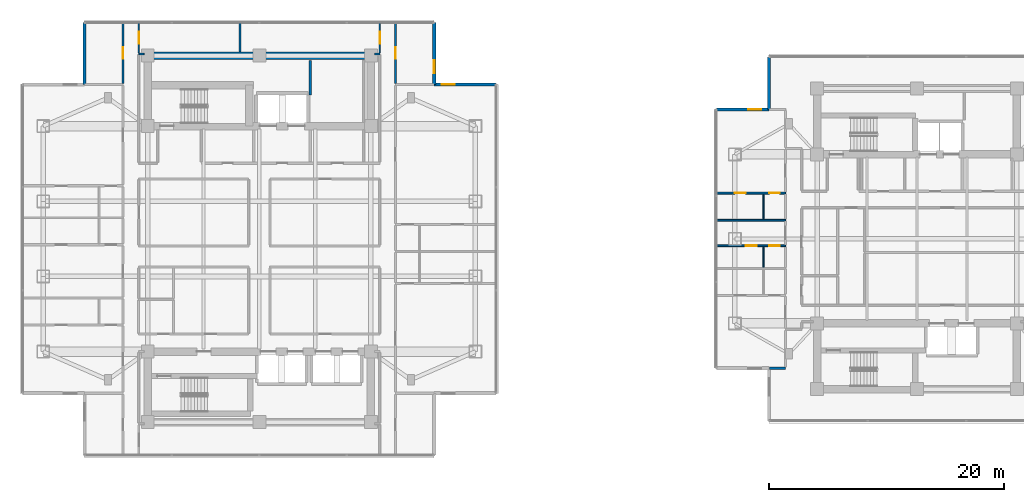
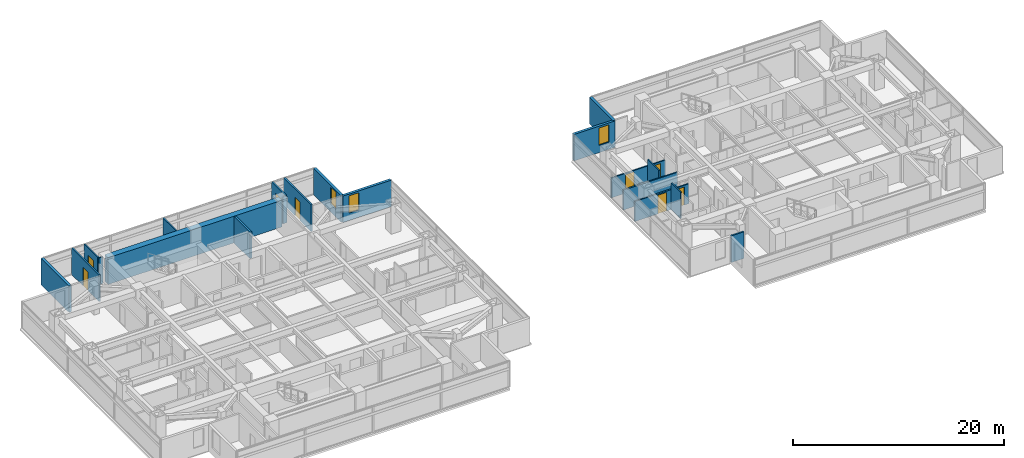
# One storey, part 17 of 26: 20 walls, 8 doors, 3 windows, 11 openings.
"""IFC4 building model written with IfcOpenShell, lengths in metres."""

from ifc_helpers import new_model, si_unit, direction, frame, frame_2d, origin, place, context, subcontext, project, spatial, rectangle, extrude, material, layer, layer_set, type_object, element, fill, save


model = new_model("IFC4")

# Units and contexts
model_context = context("Model", 3, precision=1e-05, world=origin(), true_north=direction((0.0, 1.0)))
body_context = subcontext(model_context, "Body", "Model", "MODEL_VIEW")
ifc_project = project(units=[si_unit("LENGTHUNIT", "METRE"), si_unit("AREAUNIT", "SQUARE_METRE"), si_unit("VOLUMEUNIT", "CUBIC_METRE"), si_unit("PLANEANGLEUNIT", "RADIAN"), si_unit("MASSUNIT", "GRAM", prefix="KILO")], contexts=[model_context])

# Site, building, storey
site_placement = place(None, origin())
site = spatial("IfcSite", under=ifc_project, at=site_placement, CompositionType="ELEMENT")
building_placement = place(site_placement, origin())
building = spatial("IfcBuilding", under=site, at=building_placement, Name="Mirazonda Arch Towers", CompositionType="ELEMENT")
storey_placement = place(building_placement, frame((0.0, 0.0, 121.39990234375)))
storey = spatial("IfcBuildingStorey", under=building, at=storey_placement, Name="L34", CompositionType="ELEMENT", Elevation=121.39990234375)

# Wall
ifc_material_1 = material(Name="Concrete C60/75", Category="concrete")
ifc_layer_1 = layer(ifc_material_1, 0.64990234375, Name="WALL-CORE-650")
ifc_layer_set_1 = layer_set([ifc_layer_1], Name="Concrete C60/75")
wall_type_1 = type_object("IfcWallType", Name="WALL-CORE-650", PredefinedType="SHEAR", material=ifc_layer_set_1)
wall_1_placement = place(storey_placement, frame((11.0, 43.60009765625, 0.0), z_axis=(0.0, 0.0, 1.0), x_axis=(1.0, 0.0, 0.0)))
element("IfcWall", 1, at=wall_1_placement, inside=storey, type_object=wall_type_1, Name="L34 T1N-N Core Shear Wall", PredefinedType="SHEAR", context=body_context, shape_type="SweptSolid", body=[
    extrude(rectangle(XDim=19.0, YDim=0.64990234375, at=frame_2d((9.5, 0.0))), origin(), (0.0, 0.0, 1.0), 3.080078125),
])

# Wall, opening, window
ifc_material_2 = material(Name="Precast Concrete C40/50", Category="concrete")
ifc_layer_2 = layer(ifc_material_2, 0.280029296875, Name="WALL-EXT-WALL-280")
ifc_layer_set_2 = layer_set([ifc_layer_2], Name="Precast Concrete C40/50")
wall_type_2 = type_object("IfcWallType", Name="WALL-EXT-WALL-280", PredefinedType="SOLIDWALL", material=ifc_layer_set_2)
wall_2_placement = place(storey_placement, frame((35.389892578125, 41.14794921875, 0.0), z_axis=(0.0, 0.0, 1.0), x_axis=(0.0, 1.0, 0.0)))
wall_2 = element("IfcWall", 2, at=wall_2_placement, inside=storey, type_object=wall_type_2, Name="L34 T1 Notched NE Corner Wall WL-L34-T1-CNE", PredefinedType="SOLIDWALL", context=body_context, shape_type="SweptSolid", body=[
    extrude(rectangle(XDim=5.27001953125, YDim=0.280029296875, at=frame_2d((2.635009765625, 0.0))), origin(), (0.0, 0.0, 1.0), 3.06005859375),
])
opening_1_placement = place(wall_2_placement, frame((0.949951171875, 0.0, 0.85009765625)))
opening_1 = element("IfcOpeningElement", 3, at=opening_1_placement, cuts=wall_2, Name="Opening WN-108", PredefinedType="OPENING", context=body_context, shape_type="SweptSolid", body=[
    extrude(rectangle(XDim=1.10009765625, YDim=2.0, at=frame_2d((0.550048828125, 1.0))), frame((0.0, 0.14990234375, 0.0), z_axis=(0.0, -1.0, 0.0), x_axis=(1.0, 0.0, 0.0)), (0.0, 0.0, 1.0), 0.300048828125),
])
ifc_material_3 = material(Name="Insulated Low-E Solar Glass", Category="glass")
window_type = type_object("IfcWindowType", Name="WIN-NOTCH-1100x2000", PartitioningType="SINGLE_PANEL", PredefinedType="WINDOW", material=ifc_material_3)
window_1_placement = place(opening_1_placement, origin())
window_1 = element("IfcWindow", 4, at=window_1_placement, inside=storey, type_object=window_type, Name="L34 Punched Facade Window WN-L34-T1-CNE", OverallHeight=2.0, OverallWidth=1.10009765625, PartitioningType="SINGLE_PANEL", PredefinedType="WINDOW", context=body_context, shape_type="SweptSolid", body=[
    extrude(rectangle(XDim=1.10009765625, YDim=2.0, at=frame_2d((0.550048828125, 1.0))), frame((0.0, 0.030029296875, 0.0), z_axis=(0.0, -1.0, 0.0), x_axis=(1.0, 0.0, 0.0)), (0.0, 0.0, 1.0), 0.06005859375),
])
fill(opening_1, window_1)

# Wall
wall_3_placement = place(storey_placement, frame((5.610107421875, 46.41796875, 0.0), z_axis=(0.0, 0.0, 1.0), x_axis=(0.0, -1.0, 0.0)))
element("IfcWall", 5, at=wall_3_placement, inside=storey, type_object=wall_type_2, Name="L34 T1 Corner Notch Return Wall WL-L34-T1-CNW2", PredefinedType="SOLIDWALL", context=body_context, shape_type="SweptSolid", body=[
    extrude(rectangle(XDim=5.27001953125, YDim=0.280029296875, at=frame_2d((2.635009765625, 0.0))), origin(), (0.0, 0.0, 1.0), 3.06005859375),
])

# Wall, opening, window
wall_4_placement = place(storey_placement, frame((40.659912109375, 41.14794921875, 0.0), z_axis=(0.0, 0.0, 1.0), x_axis=(-1.0, 0.0, 0.0)))
wall_4 = element("IfcWall", 6, at=wall_4_placement, inside=storey, type_object=wall_type_2, Name="L34 T1 Corner Notch Return Wall WL-L34-T1-CNE2", PredefinedType="SOLIDWALL", context=body_context, shape_type="SweptSolid", body=[
    extrude(rectangle(XDim=5.27001953125, YDim=0.280029296875, at=frame_2d((2.635009765625, 0.0))), origin(), (0.0, 0.0, 1.0), 3.06005859375),
])
opening_2_placement = place(wall_4_placement, frame((3.52001953125, 0.0, 0.85009765625)))
opening_2 = element("IfcOpeningElement", 7, at=opening_2_placement, cuts=wall_4, Name="Opening WN-108", PredefinedType="OPENING", context=body_context, shape_type="SweptSolid", body=[
    extrude(rectangle(XDim=1.10009765625, YDim=2.0, at=frame_2d((0.550048828125, 1.0))), frame((0.0, 0.14990234375, 0.0), z_axis=(0.0, -1.0, 0.0), x_axis=(1.0, 0.0, 0.0)), (0.0, 0.0, 1.0), 0.300048828125),
])
window_2_placement = place(opening_2_placement, origin())
window_2 = element("IfcWindow", 8, at=window_2_placement, inside=storey, type_object=window_type, Name="L34 Punched Facade Window WN-L34-T1-CNE2", OverallHeight=2.0, OverallWidth=1.10009765625, PartitioningType="SINGLE_PANEL", PredefinedType="WINDOW", context=body_context, shape_type="SweptSolid", body=[
    extrude(rectangle(XDim=1.10009765625, YDim=2.0, at=frame_2d((0.550048828125, 1.0))), frame((0.0, 0.030029296875, 0.0), z_axis=(0.0, -1.0, 0.0), x_axis=(1.0, 0.0, 0.0)), (0.0, 0.0, 1.0), 0.06005859375),
])
fill(opening_2, window_2)

wall_5_placement = place(storey_placement, frame((63.903564453125, 39.015869140625, 0.0), z_axis=(0.0, 0.0, 1.0), x_axis=(-1.0, 0.0, 0.0)))
wall_5 = element("IfcWall", 9, at=wall_5_placement, inside=storey, type_object=wall_type_2, Name="L34 T2 Corner Notch Return Wall WL-L34-T2-CNW1", PredefinedType="SOLIDWALL", context=body_context, shape_type="SweptSolid", body=[
    extrude(rectangle(XDim=4.486572265625, YDim=0.280029296875, at=frame_2d((2.2431640625, 0.0))), origin(), (0.0, 0.0, 1.0), 3.06005859375),
])
opening_3_placement = place(wall_5_placement, frame((0.64990234375, 0.0, 0.85009765625)))
opening_3 = element("IfcOpeningElement", 10, at=opening_3_placement, cuts=wall_5, Name="Opening WN-108", PredefinedType="OPENING", context=body_context, shape_type="SweptSolid", body=[
    extrude(rectangle(XDim=1.10009765625, YDim=2.0, at=frame_2d((0.550048828125, 1.0))), frame((0.0, 0.14990234375, 0.0), z_axis=(0.0, -1.0, 0.0), x_axis=(1.0, 0.0, 0.0)), (0.0, 0.0, 1.0), 0.300048828125),
])
window_3_placement = place(opening_3_placement, origin())
window_3 = element("IfcWindow", 11, at=window_3_placement, inside=storey, type_object=window_type, Name="L34 Punched Facade Window WN-L34-T2-CNW1", OverallHeight=2.0, OverallWidth=1.10009765625, PartitioningType="SINGLE_PANEL", PredefinedType="WINDOW", context=body_context, shape_type="SweptSolid", body=[
    extrude(rectangle(XDim=1.10009765625, YDim=2.0, at=frame_2d((0.550048828125, 1.0))), frame((0.0, 0.030029296875, 0.0), z_axis=(0.0, -1.0, 0.0), x_axis=(1.0, 0.0, 0.0)), (0.0, 0.0, 1.0), 0.06005859375),
])
fill(opening_3, window_3)

# Walls
wall_6_placement = place(storey_placement, frame((63.903564453125, 43.502197265625, 0.0), z_axis=(0.0, 0.0, 1.0), x_axis=(0.0, -1.0, 0.0)))
element("IfcWall", 12, at=wall_6_placement, inside=storey, type_object=wall_type_2, Name="L34 T2 Corner Notch Return Wall WL-L34-T2-CNW2", PredefinedType="SOLIDWALL", context=body_context, shape_type="SweptSolid", body=[
    extrude(rectangle(XDim=4.486328125, YDim=0.280029296875, at=frame_2d((2.2431640625, 0.0))), origin(), (0.0, 0.0, 1.0), 3.06005859375),
])
ifc_material_4 = material(Name="Concrete C40/50", Category="concrete")
ifc_layer_3 = layer(ifc_material_4, 0.219970703125, Name="WALL-FFL-220")
ifc_layer_set_3 = layer_set([ifc_layer_3], Name="Concrete C40/50")
wall_type_3 = type_object("IfcWallType", Name="WALL-FFL-220", PredefinedType="SOLIDWALL", material=ifc_layer_set_3)
wall_7_placement = place(storey_placement, frame((24.85009765625, 40.260009765625, 0.0), z_axis=(0.0, 0.0, 1.0), x_axis=(0.0, 1.0, 0.0)))
element("IfcWall", 13, at=wall_7_placement, inside=storey, type_object=wall_type_3, Name="L34 Interior Partition 099", PredefinedType="SOLIDWALL", context=body_context, shape_type="SweptSolid", body=[
    extrude(rectangle(XDim=2.93994140625, YDim=0.219970703125, at=frame_2d((1.469970703125, 0.0))), origin(), (0.0, 0.0, 1.0), 3.080078125),
])

# Wall, openings, doors
ifc_material_5 = material(Name="Fire-Rated Gypsum Stud Partition")
ifc_layer_4 = layer(ifc_material_5, 0.14990234375, Name="WALL-PART-CORR-150")
ifc_layer_set_4 = layer_set([ifc_layer_4], Name="Fire-Rated Gypsum Stud Partition")
wall_type_4 = type_object("IfcWallType", Name="WALL-PART-CORR-150", PredefinedType="PARTITIONING", material=ifc_layer_set_4)
wall_8_placement = place(storey_placement, frame((59.4169921875, 27.412109375, 0.0), z_axis=(0.0, 0.0, 1.0), x_axis=(1.0, 0.0, 0.0)))
wall_8 = element("IfcWall", 14, at=wall_8_placement, inside=storey, type_object=wall_type_4, Name="L34 Interior Partition 038", PredefinedType="PARTITIONING", context=body_context, shape_type="SweptSolid", body=[
    extrude(rectangle(XDim=5.903076171875, YDim=0.14990234375, at=frame_2d((2.95166015625, 0.0))), origin(), (0.0, 0.0, 1.0), 2.299072265625),
])
opening_4_placement = place(wall_8_placement, frame((2.501953125, 0.0, 0.0)))
opening_4 = element("IfcOpeningElement", 15, at=opening_4_placement, cuts=wall_8, Name="Opening DR-104", PredefinedType="OPENING", context=body_context, shape_type="SweptSolid", body=[
    extrude(rectangle(XDim=0.949951171875, YDim=2.14990234375, at=frame_2d((0.47509765625, 1.074951171875))), frame((0.0, 0.0849609375, 0.0), z_axis=(0.0, -1.0, 0.0), x_axis=(1.0, 0.0, 0.0)), (0.0, 0.0, 1.0), 0.169921875),
])
opening_5_placement = place(wall_8_placement, frame((4.488525390625, 0.0, 0.0)))
opening_5 = element("IfcOpeningElement", 16, at=opening_5_placement, cuts=wall_8, Name="Opening DR-120", PredefinedType="OPENING", context=body_context, shape_type="SweptSolid", body=[
    extrude(rectangle(XDim=0.89990234375, YDim=2.10009765625, at=frame_2d((0.449951171875, 1.050048828125))), frame((0.0, 0.0849609375, 0.0), z_axis=(0.0, -1.0, 0.0), x_axis=(1.0, 0.0, 0.0)), (0.0, 0.0, 1.0), 0.169921875),
])
ifc_material_6 = material(Name="Architectural Brushed Steel S355", Category="steel")
door_type_1 = type_object("IfcDoorType", Name="DOOR-ROOM-950", OperationType="NOTDEFINED", PredefinedType="DOOR", material=ifc_material_6)
door_1_placement = place(opening_4_placement, origin())
door_1 = element("IfcDoor", 17, at=door_1_placement, inside=storey, type_object=door_type_1, Name="L34 Studio 2 Galley Kitchen Door", OperationType="SINGLE_SWING_LEFT", OverallHeight=2.14990234375, OverallWidth=0.949951171875, PredefinedType="DOOR", context=body_context, shape_type="SweptSolid", body=[
    extrude(rectangle(XDim=0.949951171875, YDim=2.14990234375, at=frame_2d((0.47509765625, 1.074951171875))), frame((0.0, 0.02490234375, 0.0), z_axis=(0.0, -1.0, 0.0), x_axis=(1.0, 0.0, 0.0)), (0.0, 0.0, 1.0), 0.050048828125),
])
fill(opening_4, door_1)
door_type_2 = type_object("IfcDoorType", Name="DOOR-WC-900", OperationType="NOTDEFINED", PredefinedType="DOOR", material=ifc_material_6)
door_2_placement = place(opening_5_placement, origin())
door_2 = element("IfcDoor", 18, at=door_2_placement, inside=storey, type_object=door_type_2, Name="L34 Studio 2 Bathroom Door", OperationType="SINGLE_SWING_RIGHT", OverallHeight=2.10009765625, OverallWidth=0.89990234375, PredefinedType="DOOR", context=body_context, shape_type="SweptSolid", body=[
    extrude(rectangle(XDim=0.89990234375, YDim=2.10009765625, at=frame_2d((0.449951171875, 1.050048828125))), frame((0.0, 0.02490234375, 0.0), z_axis=(0.0, -1.0, 0.0), x_axis=(1.0, 0.0, 0.0)), (0.0, 0.0, 1.0), 0.050048828125),
])
fill(opening_5, door_2)

# Wall
wall_9_placement = place(storey_placement, frame((59.4169921875, 29.595947265625, 0.0), z_axis=(0.0, 0.0, 1.0), x_axis=(1.0, 0.0, 0.0)))
element("IfcWall", 19, at=wall_9_placement, inside=storey, type_object=wall_type_4, Name="L34 Interior Partition 042", PredefinedType="PARTITIONING", context=body_context, shape_type="SweptSolid", body=[
    extrude(rectangle(XDim=5.903076171875, YDim=0.14990234375, at=frame_2d((2.95166015625, 0.0))), origin(), (0.0, 0.0, 1.0), 2.299072265625),
])

# Wall, openings, doors
wall_10_placement = place(storey_placement, frame((59.4169921875, 31.89599609375, 0.0), z_axis=(0.0, 0.0, 1.0), x_axis=(1.0, 0.0, 0.0)))
wall_10 = element("IfcWall", 20, at=wall_10_placement, inside=storey, type_object=wall_type_4, Name="L34 Interior Partition 044", PredefinedType="PARTITIONING", context=body_context, shape_type="SweptSolid", body=[
    extrude(rectangle(XDim=5.903076171875, YDim=0.14990234375, at=frame_2d((2.95166015625, 0.0))), origin(), (0.0, 0.0, 1.0), 2.299072265625),
])
opening_6_placement = place(wall_10_placement, frame((1.552001953125, 0.0, 0.0)))
opening_6 = element("IfcOpeningElement", 21, at=opening_6_placement, cuts=wall_10, Name="Opening DR-104", PredefinedType="OPENING", context=body_context, shape_type="SweptSolid", body=[
    extrude(rectangle(XDim=0.949951171875, YDim=2.14990234375, at=frame_2d((0.47509765625, 1.074951171875))), frame((0.0, 0.0849609375, 0.0), z_axis=(0.0, -1.0, 0.0), x_axis=(1.0, 0.0, 0.0)), (0.0, 0.0, 1.0), 0.169921875),
])
opening_7_placement = place(wall_10_placement, frame((4.488525390625, 0.0, 0.0)))
opening_7 = element("IfcOpeningElement", 22, at=opening_7_placement, cuts=wall_10, Name="Opening DR-120", PredefinedType="OPENING", context=body_context, shape_type="SweptSolid", body=[
    extrude(rectangle(XDim=0.89990234375, YDim=2.10009765625, at=frame_2d((0.449951171875, 1.050048828125))), frame((0.0, 0.0849609375, 0.0), z_axis=(0.0, -1.0, 0.0), x_axis=(1.0, 0.0, 0.0)), (0.0, 0.0, 1.0), 0.169921875),
])
door_3_placement = place(opening_6_placement, origin())
door_3 = element("IfcDoor", 23, at=door_3_placement, inside=storey, type_object=door_type_1, Name="L34 Studio 3 Galley Kitchen Door", OperationType="SINGLE_SWING_RIGHT", OverallHeight=2.14990234375, OverallWidth=0.949951171875, PredefinedType="DOOR", context=body_context, shape_type="SweptSolid", body=[
    extrude(rectangle(XDim=0.949951171875, YDim=2.14990234375, at=frame_2d((0.47509765625, 1.074951171875))), frame((0.0, 0.02490234375, 0.0), z_axis=(0.0, -1.0, 0.0), x_axis=(1.0, 0.0, 0.0)), (0.0, 0.0, 1.0), 0.050048828125),
])
fill(opening_6, door_3)
door_4_placement = place(opening_7_placement, origin())
door_4 = element("IfcDoor", 24, at=door_4_placement, inside=storey, type_object=door_type_2, Name="L34 Studio 3 Bathroom Door", OperationType="SINGLE_SWING_LEFT", OverallHeight=2.10009765625, OverallWidth=0.89990234375, PredefinedType="DOOR", context=body_context, shape_type="SweptSolid", body=[
    extrude(rectangle(XDim=0.89990234375, YDim=2.10009765625, at=frame_2d((0.449951171875, 1.050048828125))), frame((0.0, 0.02490234375, 0.0), z_axis=(0.0, -1.0, 0.0), x_axis=(1.0, 0.0, 0.0)), (0.0, 0.0, 1.0), 0.050048828125),
])
fill(opening_7, door_4)

# Walls
for number, where, z_axis, x_axis, name in (
    (25, (10.239990234375, 43.75, 0.0), (0.0, 0.0, 1.0), (1.0, 0.0, 0.0), "L34 Interior Partition 061"),
    (26, (30.320068359375, 43.75, 0.0), (0.0, 0.0, 1.0), (1.0, 0.0, 0.0), "L34 Interior Partition 062"),
):
    element("IfcWall", number, at=place(storey_placement, frame(where, z_axis=z_axis, x_axis=x_axis)), inside=storey, type_object=wall_type_4, Name=name, PredefinedType="PARTITIONING", context=body_context, shape_type="SweptSolid", body=[
        extrude(rectangle(XDim=0.43994140625, YDim=0.14990234375, at=frame_2d((0.219970703125, 0.0))), origin(), (0.0, 0.0, 1.0), 3.080078125),
    ])

# Wall, opening, door
wall_11_placement = place(storey_placement, frame((10.239990234375, 43.8349609375, 0.0), z_axis=(0.0, 0.0, 1.0), x_axis=(0.0, 1.0, 0.0)))
wall_11 = element("IfcWall", 27, at=wall_11_placement, inside=storey, type_object=wall_type_4, Name="L34 Interior Partition 080", PredefinedType="PARTITIONING", context=body_context, shape_type="SweptSolid", body=[
    extrude(rectangle(XDim=2.5830078125, YDim=0.14990234375, at=frame_2d((1.29150390625, 0.0))), origin(), (0.0, 0.0, 1.0), 3.080078125),
])
opening_8_placement = place(wall_11_placement, frame((0.7666015625, 0.0, 0.0)))
opening_8 = element("IfcOpeningElement", 28, at=opening_8_placement, cuts=wall_11, Name="Opening DR-121", PredefinedType="OPENING", context=body_context, shape_type="SweptSolid", body=[
    extrude(rectangle(XDim=1.050048828125, YDim=2.199951171875, at=frame_2d((0.52490234375, 1.10009765625))), frame((0.0, 0.0849609375, 0.0), z_axis=(0.0, -1.0, 0.0), x_axis=(1.0, 0.0, 0.0)), (0.0, 0.0, 1.0), 0.169921875),
])
door_type_3 = type_object("IfcDoorType", Name="DOOR-SUITE-FD60-1050", OperationType="NOTDEFINED", PredefinedType="DOOR", material=ifc_material_6)
door_5_placement = place(opening_8_placement, origin())
door_5 = element("IfcDoor", 29, at=door_5_placement, inside=storey, type_object=door_type_3, Name="L34 North Reading Salon West Door", OperationType="SINGLE_SWING_LEFT", OverallHeight=2.199951171875, OverallWidth=1.050048828125, PredefinedType="DOOR", context=body_context, shape_type="SweptSolid", body=[
    extrude(rectangle(XDim=1.050048828125, YDim=2.199951171875, at=frame_2d((0.52490234375, 1.10009765625))), frame((0.0, 0.02490234375, 0.0), z_axis=(0.0, -1.0, 0.0), x_axis=(1.0, 0.0, 0.0)), (0.0, 0.0, 1.0), 0.050048828125),
])
fill(opening_8, door_5)

# Wall
wall_12_placement = place(storey_placement, frame((18.85791015625, 43.919921875, 0.0), z_axis=(0.0, 0.0, 1.0), x_axis=(0.0, 1.0, 0.0)))
element("IfcWall", 30, at=wall_12_placement, inside=storey, type_object=wall_type_4, Name="L34 Interior Partition 085", PredefinedType="PARTITIONING", context=body_context, shape_type="SweptSolid", body=[
    extrude(rectangle(XDim=2.498046875, YDim=0.14990234375, at=frame_2d((1.2490234375, 0.0))), origin(), (0.0, 0.0, 1.0), 3.080078125),
])

# Wall, opening, door
wall_13_placement = place(storey_placement, frame((30.760009765625, 43.8349609375, 0.0), z_axis=(0.0, 0.0, 1.0), x_axis=(0.0, 1.0, 0.0)))
wall_13 = element("IfcWall", 31, at=wall_13_placement, inside=storey, type_object=wall_type_4, Name="L34 Interior Partition 108", PredefinedType="PARTITIONING", context=body_context, shape_type="SweptSolid", body=[
    extrude(rectangle(XDim=2.5830078125, YDim=0.14990234375, at=frame_2d((1.29150390625, 0.0))), origin(), (0.0, 0.0, 1.0), 3.080078125),
])
opening_9_placement = place(wall_13_placement, frame((0.7666015625, 0.0, 0.0)))
opening_9 = element("IfcOpeningElement", 32, at=opening_9_placement, cuts=wall_13, Name="Opening DR-121", PredefinedType="OPENING", context=body_context, shape_type="SweptSolid", body=[
    extrude(rectangle(XDim=1.050048828125, YDim=2.199951171875, at=frame_2d((0.52490234375, 1.10009765625))), frame((0.0, 0.0849609375, 0.0), z_axis=(0.0, -1.0, 0.0), x_axis=(1.0, 0.0, 0.0)), (0.0, 0.0, 1.0), 0.169921875),
])
door_6_placement = place(opening_9_placement, origin())
door_6 = element("IfcDoor", 33, at=door_6_placement, inside=storey, type_object=door_type_3, Name="L34 North Reading Salon East Door", OperationType="SINGLE_SWING_RIGHT", OverallHeight=2.199951171875, OverallWidth=1.050048828125, PredefinedType="DOOR", context=body_context, shape_type="SweptSolid", body=[
    extrude(rectangle(XDim=1.050048828125, YDim=2.199951171875, at=frame_2d((0.52490234375, 1.10009765625))), frame((0.0, 0.02490234375, 0.0), z_axis=(0.0, -1.0, 0.0), x_axis=(1.0, 0.0, 0.0)), (0.0, 0.0, 1.0), 0.050048828125),
])
fill(opening_9, door_6)

# Wall
ifc_material_7 = material(Name="Fire-Rated Gypsum Twin-Stud Assembly")
ifc_layer_5 = layer(ifc_material_7, 0.179931640625, Name="WALL-PART-DEMISE-180")
ifc_layer_set_5 = layer_set([ifc_layer_5], Name="Fire-Rated Gypsum Twin-Stud Assembly")
wall_type_5 = type_object("IfcWallType", Name="WALL-PART-DEMISE-180", PredefinedType="PARTITIONING", material=ifc_layer_set_5)
wall_14_placement = place(storey_placement, frame((63.923583984375, 16.98388671875, 0.0), z_axis=(0.0, 0.0, 1.0), x_axis=(1.0, 0.0, 0.0)))
element("IfcWall", 34, at=wall_14_placement, inside=storey, type_object=wall_type_5, Name="L34 Interior Partition 009", PredefinedType="PARTITIONING", context=body_context, shape_type="SweptSolid", body=[
    extrude(rectangle(XDim=1.396484375, YDim=0.179931640625, at=frame_2d((0.6982421875, 0.0))), origin(), (0.0, 0.0, 1.0), 3.080078125),
])

# Wall, opening, door
wall_15_placement = place(storey_placement, frame((8.89990234375, 41.248046875, 0.0), z_axis=(0.0, 0.0, 1.0), x_axis=(0.0, 1.0, 0.0)))
wall_15 = element("IfcWall", 35, at=wall_15_placement, inside=storey, type_object=wall_type_5, Name="L34 Interior Partition 073", PredefinedType="PARTITIONING", context=body_context, shape_type="SweptSolid", body=[
    extrude(rectangle(XDim=5.169921875, YDim=0.179931640625, at=frame_2d((2.5849609375, 0.0))), origin(), (0.0, 0.0, 1.0), 3.080078125),
])
opening_10_placement = place(wall_15_placement, frame((2.110107421875, 0.0, 0.0)))
opening_10 = element("IfcOpeningElement", 36, at=opening_10_placement, cuts=wall_15, Name="Opening DR-104", PredefinedType="OPENING", context=body_context, shape_type="SweptSolid", body=[
    extrude(rectangle(XDim=0.949951171875, YDim=2.14990234375, at=frame_2d((0.47509765625, 1.074951171875))), frame((0.0, 0.099853515625, 0.0), z_axis=(0.0, -1.0, 0.0), x_axis=(1.0, 0.0, 0.0)), (0.0, 0.0, 1.0), 0.199951171875),
])
door_7_placement = place(opening_10_placement, origin())
door_7 = element("IfcDoor", 37, at=door_7_placement, inside=storey, type_object=door_type_1, Name="L34 North Reading Salon Alcove West Door", OperationType="SINGLE_SWING_LEFT", OverallHeight=2.14990234375, OverallWidth=0.949951171875, PredefinedType="DOOR", context=body_context, shape_type="SweptSolid", body=[
    extrude(rectangle(XDim=0.949951171875, YDim=2.14990234375, at=frame_2d((0.47509765625, 1.074951171875))), frame((0.0, 0.02490234375, 0.0), z_axis=(0.0, -1.0, 0.0), x_axis=(1.0, 0.0, 0.0)), (0.0, 0.0, 1.0), 0.050048828125),
])
fill(opening_10, door_7)

wall_16_placement = place(storey_placement, frame((32.10009765625, 41.248046875, 0.0), z_axis=(0.0, 0.0, 1.0), x_axis=(0.0, 1.0, 0.0)))
wall_16 = element("IfcWall", 38, at=wall_16_placement, inside=storey, type_object=wall_type_5, Name="L34 Interior Partition 114", PredefinedType="PARTITIONING", context=body_context, shape_type="SweptSolid", body=[
    extrude(rectangle(XDim=5.169921875, YDim=0.179931640625, at=frame_2d((2.5849609375, 0.0))), origin(), (0.0, 0.0, 1.0), 3.080078125),
])
opening_11_placement = place(wall_16_placement, frame((2.110107421875, 0.0, 0.0)))
opening_11 = element("IfcOpeningElement", 39, at=opening_11_placement, cuts=wall_16, Name="Opening DR-104", PredefinedType="OPENING", context=body_context, shape_type="SweptSolid", body=[
    extrude(rectangle(XDim=0.949951171875, YDim=2.14990234375, at=frame_2d((0.47509765625, 1.074951171875))), frame((0.0, 0.099853515625, 0.0), z_axis=(0.0, -1.0, 0.0), x_axis=(1.0, 0.0, 0.0)), (0.0, 0.0, 1.0), 0.199951171875),
])
door_8_placement = place(opening_11_placement, origin())
door_8 = element("IfcDoor", 40, at=door_8_placement, inside=storey, type_object=door_type_1, Name="L34 North Reading Salon Alcove East Door", OperationType="SINGLE_SWING_RIGHT", OverallHeight=2.14990234375, OverallWidth=0.949951171875, PredefinedType="DOOR", context=body_context, shape_type="SweptSolid", body=[
    extrude(rectangle(XDim=0.949951171875, YDim=2.14990234375, at=frame_2d((0.47509765625, 1.074951171875))), frame((0.0, 0.02490234375, 0.0), z_axis=(0.0, -1.0, 0.0), x_axis=(1.0, 0.0, 0.0)), (0.0, 0.0, 1.0), 0.050048828125),
])
fill(opening_11, door_8)

# Walls
ifc_material_8 = material(Name="Acoustic Fire-Rated Gypsum Partition")
ifc_layer_6 = layer(ifc_material_8, 0.125, Name="WALL-PART-UNIT-125")
ifc_layer_set_6 = layer_set([ifc_layer_6], Name="Acoustic Fire-Rated Gypsum Partition")
wall_type_6 = type_object("IfcWallType", Name="WALL-PART-UNIT-125", PredefinedType="PARTITIONING", material=ifc_layer_set_6)
wall_17_placement = place(storey_placement, frame((63.430908203125, 25.564453125, 0.0), z_axis=(0.0, 0.0, 1.0), x_axis=(0.0, 1.0, 0.0)))
element("IfcWall", 41, at=wall_17_placement, inside=storey, type_object=wall_type_6, Name="L34 Interior Partition 118", PredefinedType="PARTITIONING", context=body_context, shape_type="SweptSolid", body=[
    extrude(rectangle(XDim=1.762451171875, YDim=0.125, at=frame_2d((0.88134765625, 0.0))), origin(), (0.0, 0.0, 1.0), 3.080078125),
])
wall_18_placement = place(storey_placement, frame((63.430908203125, 29.680908203125, 0.0), z_axis=(0.0, 0.0, 1.0), x_axis=(0.0, 1.0, 0.0)))
element("IfcWall", 42, at=wall_18_placement, inside=storey, type_object=wall_type_6, Name="L34 Interior Partition 119", PredefinedType="PARTITIONING", context=body_context, shape_type="SweptSolid", body=[
    extrude(rectangle(XDim=2.130126953125, YDim=0.125, at=frame_2d((1.06494140625, 0.0))), origin(), (0.0, 0.0, 1.0), 3.080078125),
])

save(model, "model.ifc")
